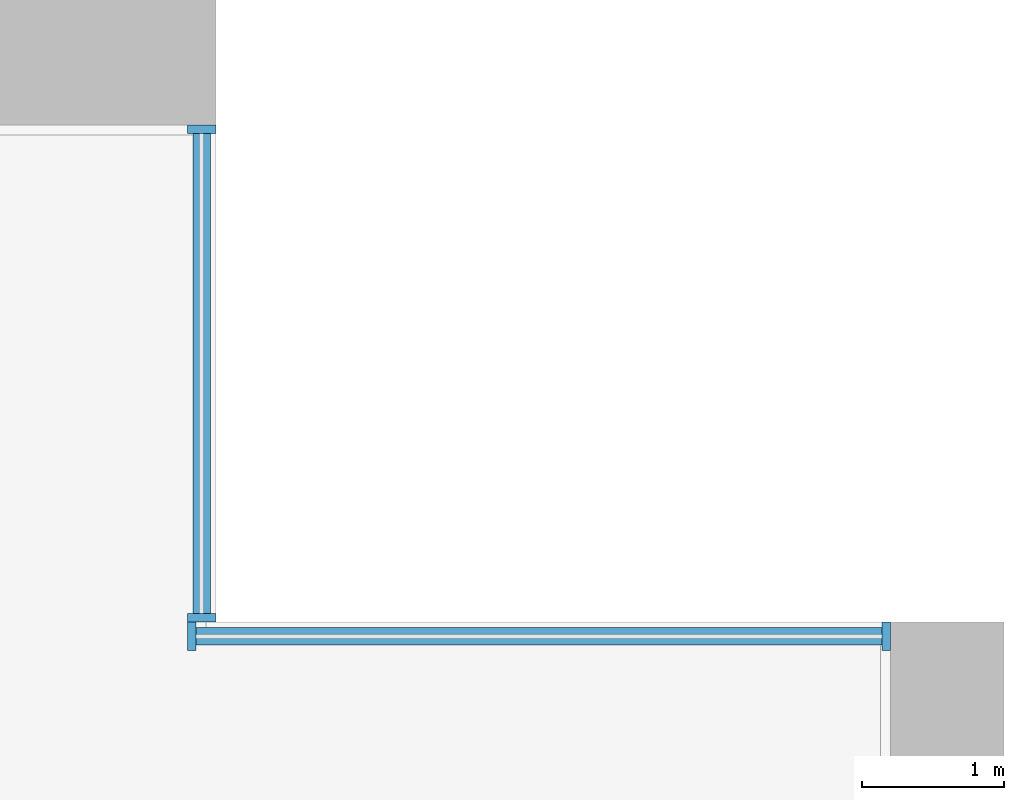
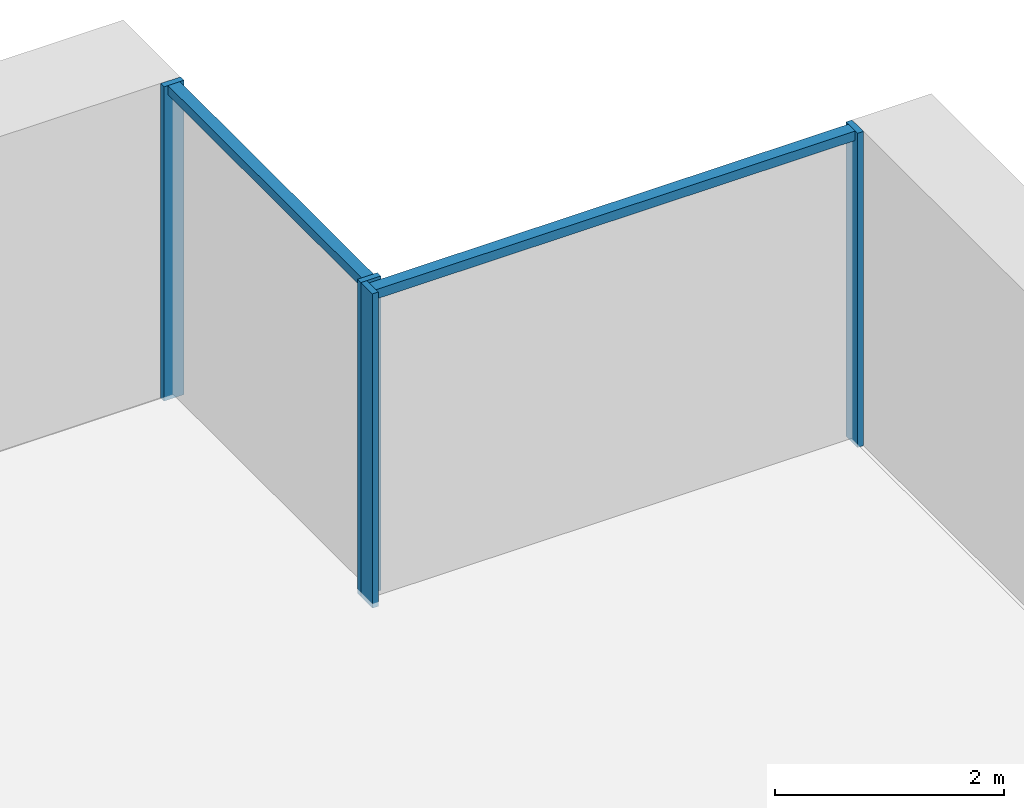
# One storey, part 6 of 18: 6 members, 2 elements without a shape of their own.
"""IFC4 building model written with IfcOpenShell, lengths in metres."""

from ifc_helpers import new_model, si_unit, direction, frame, origin, origin_2d, place, context, subcontext, project, spatial, rectangle, extrude, material, material_profile, profile_set, type_object, element, aggregate, save


model = new_model("IFC4")

# Units and contexts
model_context = context("Model", 3, precision=1e-05, world=origin(), true_north=direction((0.0, 1.0)))
body_context = subcontext(model_context, "Body", "Model", "MODEL_VIEW")
ifc_project = project(units=[si_unit("LENGTHUNIT", "METRE"), si_unit("AREAUNIT", "SQUARE_METRE"), si_unit("VOLUMEUNIT", "CUBIC_METRE"), si_unit("PLANEANGLEUNIT", "RADIAN"), si_unit("MASSUNIT", "GRAM", prefix="KILO")], contexts=[model_context])

# Site, building, storey
site_placement = place(None, origin())
site = spatial("IfcSite", under=ifc_project, at=site_placement, CompositionType="ELEMENT")
building_placement = place(site_placement, origin())
building = spatial("IfcBuilding", under=site, at=building_placement, Name="Calvaro Tower", CompositionType="ELEMENT")
storey_placement = place(building_placement, frame((0.0, 0.0, 60.0)))
storey = spatial("IfcBuildingStorey", under=building, at=storey_placement, Name="L14", CompositionType="ELEMENT", Elevation=60.0)

# Curtain wall, members
ifc_material_1 = material(Name="Anodised aluminium", Category="aluminium")
curtain_wall_type = type_object("IfcCurtainWallType", Name="Office curtain wall, lower zone", PredefinedType="NOTDEFINED", material=ifc_material_1)
curtain_wall_1_placement = place(storey_placement, origin())
curtain_wall_1 = element("IfcCurtainWall", 1, at=curtain_wall_1_placement, inside=storey, type_object=curtain_wall_type, Name="CW1 corner curtain wall", PredefinedType="NOTDEFINED")
ifc_material_2 = material(Name="Anodised aluminium", Category="aluminium")
ifc_material_profile_1 = material_profile(ifc_material_2, rectangle(XDim=0.199951171875, YDim=0.06005859375, at=origin_2d()), Name="Mullion S1 60 x 200")
ifc_profile_set_1 = profile_set([ifc_material_profile_1], Name="Anodised aluminium")
member_type_1 = type_object("IfcMemberType", Name="Mullion S1 60 x 200", PredefinedType="MULLION", material=ifc_profile_set_1)
member_1_placement = place(storey_placement, frame((72.35009765625, 41.530029296875, 0.0), z_axis=(0.0, 0.0, 1.0), x_axis=(-1.0, 0.0, 0.0)))
member_1 = element("IfcMember", 2, at=member_1_placement, type_object=member_type_1, Name="CW1 mullion 1", PredefinedType="MULLION", context=body_context, shape_type="SweptSolid", body=[
    extrude(rectangle(XDim=0.199951171875, YDim=0.06005859375, at=origin_2d()), origin(), (0.0, 0.0, 1.0), 3.35009765625),
])
member_2_placement = place(storey_placement, frame((72.35009765625, 44.969970703125, 0.0), z_axis=(0.0, 0.0, 1.0), x_axis=(-1.0, 0.0, 0.0)))
member_2 = element("IfcMember", 3, at=member_2_placement, type_object=member_type_1, Name="CW1 mullion 2", PredefinedType="MULLION", context=body_context, shape_type="SweptSolid", body=[
    extrude(rectangle(XDim=0.199951171875, YDim=0.06005859375, at=origin_2d()), origin(), (0.0, 0.0, 1.0), 3.35009765625),
])

curtain_wall_2_placement = place(storey_placement, origin())
curtain_wall_2 = element("IfcCurtainWall", 4, at=curtain_wall_2_placement, inside=storey, type_object=curtain_wall_type, Name="CW1 corner curtain wall", PredefinedType="NOTDEFINED")
member_3_placement = place(storey_placement, frame((72.280029296875, 41.39990234375, 0.0), z_axis=(0.0, 0.0, 1.0), x_axis=(0.0, 1.0, 0.0)))
member_3 = element("IfcMember", 5, at=member_3_placement, type_object=member_type_1, Name="CW1 mullion 1", PredefinedType="MULLION", context=body_context, shape_type="SweptSolid", body=[
    extrude(rectangle(XDim=0.199951171875, YDim=0.06005859375, at=origin_2d()), origin(), (0.0, 0.0, 1.0), 3.35009765625),
])
member_4_placement = place(storey_placement, frame((77.169921875, 41.39990234375, 0.0), z_axis=(0.0, 0.0, 1.0), x_axis=(0.0, 1.0, 0.0)))
member_4 = element("IfcMember", 6, at=member_4_placement, type_object=member_type_1, Name="CW1 mullion 2", PredefinedType="MULLION", context=body_context, shape_type="SweptSolid", body=[
    extrude(rectangle(XDim=0.199951171875, YDim=0.06005859375, at=origin_2d()), origin(), (0.0, 0.0, 1.0), 3.35009765625),
])

# Member
ifc_material_3 = material(Name="Anodised aluminium", Category="aluminium")
ifc_material_profile_2 = material_profile(ifc_material_3, rectangle(XDim=0.1201171875, YDim=0.10009765625, at=origin_2d()), Name="Transom S1 100 x 120")
ifc_profile_set_2 = profile_set([ifc_material_profile_2], Name="Anodised aluminium")
member_type_2 = type_object("IfcMemberType", Name="Transom S1 100 x 120", PredefinedType="USERDEFINED", material=ifc_profile_set_2)
member_5_placement = place(storey_placement, frame((72.35009765625, 41.56005859375, 3.300048828125), z_axis=(0.0, 1.0, 0.0), x_axis=(-1.0, 0.0, 0.0)))
member_5 = element("IfcMember", 7, at=member_5_placement, type_object=member_type_2, Name="CW1 transom 1.1", ObjectType="TRANSOM", PredefinedType="USERDEFINED", context=body_context, shape_type="SweptSolid", body=[
    extrude(rectangle(XDim=0.1201171875, YDim=0.10009765625, at=origin_2d()), origin(), (0.0, 0.0, 1.0), 3.3798828125),
])

aggregate(curtain_wall_1, [member_1, member_2, member_5])

member_6_placement = place(storey_placement, frame((72.31005859375, 41.39990234375, 3.300048828125), z_axis=(1.0, 0.0, 0.0), x_axis=(0.0, 1.0, 0.0)))
member_6 = element("IfcMember", 8, at=member_6_placement, type_object=member_type_2, Name="CW1 transom 1.1", ObjectType="TRANSOM", PredefinedType="USERDEFINED", context=body_context, shape_type="SweptSolid", body=[
    extrude(rectangle(XDim=0.1201171875, YDim=0.10009765625, at=origin_2d()), origin(), (0.0, 0.0, 1.0), 4.829833984375),
])

aggregate(curtain_wall_2, [member_3, member_4, member_6])

save(model, "model.ifc")
